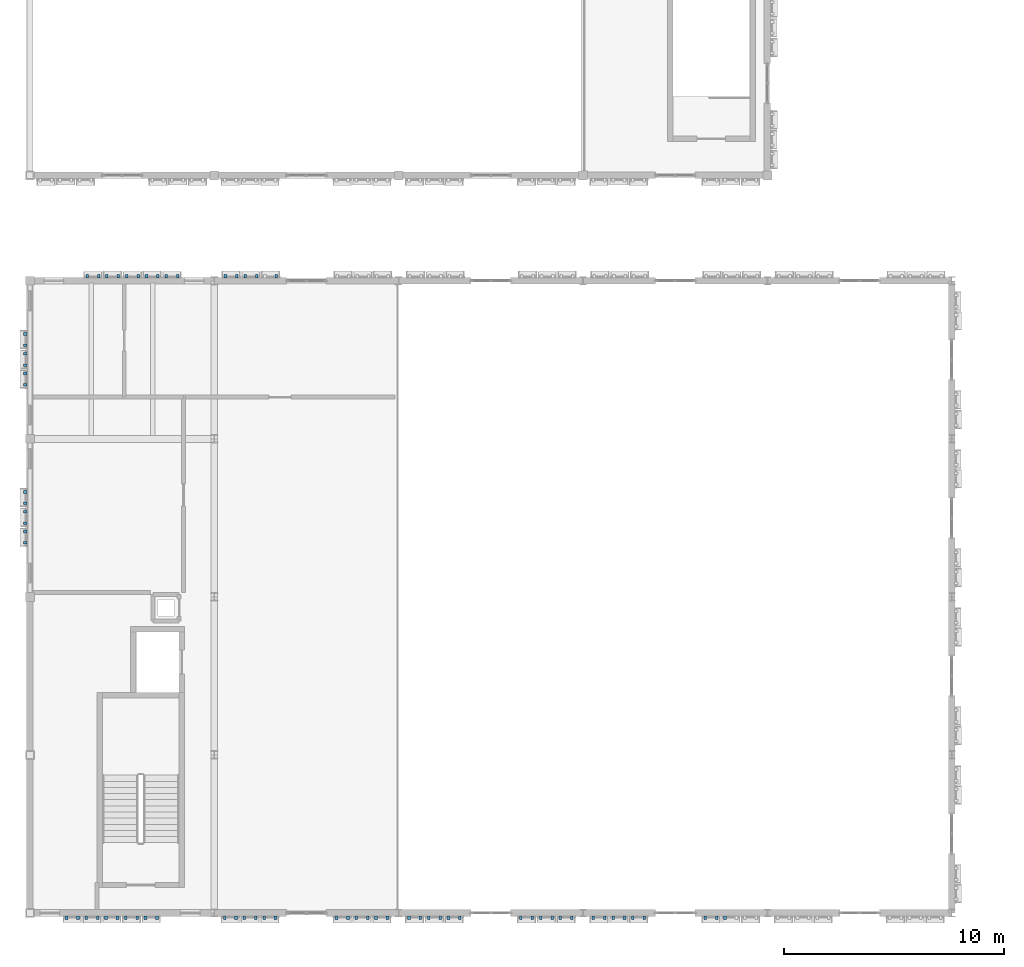
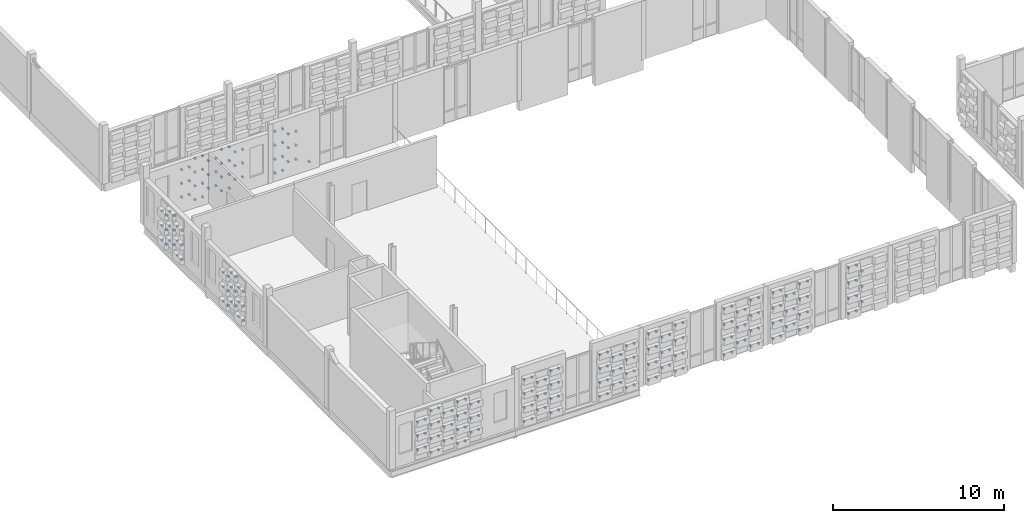
# One storey, part 66 of 81: 240 discrete accessories.
"""IFC4 building model written with IfcOpenShell, lengths in metres."""

from ifc_helpers import new_model, si_unit, direction, frame, origin, origin_2d, place, context, subcontext, project, spatial, rectangle, extrude, material, type_object, element, save


model = new_model("IFC4")

# Units and contexts
model_context = context("Model", 3, precision=1e-05, world=origin(), true_north=direction((0.0, 1.0)))
body_context = subcontext(model_context, "Body", "Model", "MODEL_VIEW")
ifc_project = project(units=[si_unit("LENGTHUNIT", "METRE"), si_unit("AREAUNIT", "SQUARE_METRE"), si_unit("VOLUMEUNIT", "CUBIC_METRE"), si_unit("PLANEANGLEUNIT", "RADIAN"), si_unit("MASSUNIT", "GRAM", prefix="KILO")], contexts=[model_context])

# Site, building, storey
site_placement = place(None, origin())
site = spatial("IfcSite", under=ifc_project, at=site_placement, CompositionType="ELEMENT")
building_placement = place(site_placement, origin())
building = spatial("IfcBuilding", under=site, at=building_placement, Name="Kahlenmark Community Centre", CompositionType="ELEMENT")
storey_placement = place(building_placement, frame((0.0, 0.0, 9.60009765625)))
storey = spatial("IfcBuildingStorey", under=building, at=storey_placement, Name="L02", CompositionType="ELEMENT", Elevation=9.60009765625)

# Discrete accessories
ifc_material = material(Name="Stainless steel 1.4401 rainscreen bracket", Category="steel")
discrete_accessory_type = type_object("IfcDiscreteAccessoryType", Name="DAT-BRACKET-TC", PredefinedType="BRACKET", material=ifc_material)
for number, where, z_axis, x_axis, name in (
    (1, (5.669921875, 8.590087890625, 0.763916015625), (0.0, 0.0, 1.0), (1.0, 0.0, 0.0), "Terracotta cassette bracket 1764.1"),
    (2, (6.18994140625, 8.590087890625, 0.763916015625), (0.0, 0.0, 1.0), (1.0, 0.0, 0.0), "Terracotta cassette bracket 1764.2"),
    (3, (5.669921875, 8.590087890625, 1.755859375), (0.0, 0.0, 1.0), (1.0, 0.0, 0.0), "Terracotta cassette bracket 1766.1"),
    (4, (6.18994140625, 8.590087890625, 1.755859375), (0.0, 0.0, 1.0), (1.0, 0.0, 0.0), "Terracotta cassette bracket 1766.2"),
    (5, (5.669921875, 8.590087890625, 2.747802734375), (0.0, 0.0, 1.0), (1.0, 0.0, 0.0), "Terracotta cassette bracket 1768.1"),
    (6, (6.18994140625, 8.590087890625, 2.747802734375), (0.0, 0.0, 1.0), (1.0, 0.0, 0.0), "Terracotta cassette bracket 1768.2"),
    (7, (6.570068359375, 8.590087890625, 0.267822265625), (0.0, 0.0, 1.0), (1.0, 0.0, 0.0), "Terracotta cassette bracket 1770.1"),
    (8, (7.090087890625, 8.590087890625, 0.267822265625), (0.0, 0.0, 1.0), (1.0, 0.0, 0.0), "Terracotta cassette bracket 1770.2"),
    (9, (6.570068359375, 8.590087890625, 1.259765625), (0.0, 0.0, 1.0), (1.0, 0.0, 0.0), "Terracotta cassette bracket 1772.1"),
    (10, (7.090087890625, 8.590087890625, 1.259765625), (0.0, 0.0, 1.0), (1.0, 0.0, 0.0), "Terracotta cassette bracket 1772.2"),
    (11, (6.570068359375, 8.590087890625, 2.251953125), (0.0, 0.0, 1.0), (1.0, 0.0, 0.0), "Terracotta cassette bracket 1774.1"),
    (12, (7.090087890625, 8.590087890625, 2.251953125), (0.0, 0.0, 1.0), (1.0, 0.0, 0.0), "Terracotta cassette bracket 1774.2"),
    (13, (6.570068359375, 8.590087890625, 3.243896484375), (0.0, 0.0, 1.0), (1.0, 0.0, 0.0), "Terracotta cassette bracket 1776.1"),
    (14, (7.090087890625, 8.590087890625, 3.243896484375), (0.0, 0.0, 1.0), (1.0, 0.0, 0.0), "Terracotta cassette bracket 1776.2"),
    (15, (7.469970703125, 8.590087890625, 0.763916015625), (0.0, 0.0, 1.0), (1.0, 0.0, 0.0), "Terracotta cassette bracket 1778.1"),
    (16, (7.989990234375, 8.590087890625, 0.763916015625), (0.0, 0.0, 1.0), (1.0, 0.0, 0.0), "Terracotta cassette bracket 1778.2"),
    (17, (7.469970703125, 8.590087890625, 1.755859375), (0.0, 0.0, 1.0), (1.0, 0.0, 0.0), "Terracotta cassette bracket 1780.1"),
    (18, (7.989990234375, 8.590087890625, 1.755859375), (0.0, 0.0, 1.0), (1.0, 0.0, 0.0), "Terracotta cassette bracket 1780.2"),
    (19, (7.469970703125, 8.590087890625, 2.747802734375), (0.0, 0.0, 1.0), (1.0, 0.0, 0.0), "Terracotta cassette bracket 1782.1"),
    (20, (7.989990234375, 8.590087890625, 2.747802734375), (0.0, 0.0, 1.0), (1.0, 0.0, 0.0), "Terracotta cassette bracket 1782.2"),
    (21, (8.3701171875, 8.590087890625, 0.267822265625), (0.0, 0.0, 1.0), (1.0, 0.0, 0.0), "Terracotta cassette bracket 1784.1"),
    (22, (8.889892578125, 8.590087890625, 0.267822265625), (0.0, 0.0, 1.0), (1.0, 0.0, 0.0), "Terracotta cassette bracket 1784.2"),
    (23, (8.3701171875, 8.590087890625, 1.259765625), (0.0, 0.0, 1.0), (1.0, 0.0, 0.0), "Terracotta cassette bracket 1786.1"),
    (24, (8.889892578125, 8.590087890625, 1.259765625), (0.0, 0.0, 1.0), (1.0, 0.0, 0.0), "Terracotta cassette bracket 1786.2"),
    (25, (8.3701171875, 8.590087890625, 2.251953125), (0.0, 0.0, 1.0), (1.0, 0.0, 0.0), "Terracotta cassette bracket 1788.1"),
    (26, (8.889892578125, 8.590087890625, 2.251953125), (0.0, 0.0, 1.0), (1.0, 0.0, 0.0), "Terracotta cassette bracket 1788.2"),
    (27, (8.3701171875, 8.590087890625, 3.243896484375), (0.0, 0.0, 1.0), (1.0, 0.0, 0.0), "Terracotta cassette bracket 1790.1"),
    (28, (8.889892578125, 8.590087890625, 3.243896484375), (0.0, 0.0, 1.0), (1.0, 0.0, 0.0), "Terracotta cassette bracket 1790.2"),
    (29, (9.27001953125, 8.590087890625, 0.763916015625), (0.0, 0.0, 1.0), (1.0, 0.0, 0.0), "Terracotta cassette bracket 1792.1"),
    (30, (9.7900390625, 8.590087890625, 0.763916015625), (0.0, 0.0, 1.0), (1.0, 0.0, 0.0), "Terracotta cassette bracket 1792.2"),
    (31, (9.27001953125, 8.590087890625, 1.755859375), (0.0, 0.0, 1.0), (1.0, 0.0, 0.0), "Terracotta cassette bracket 1794.1"),
    (32, (9.7900390625, 8.590087890625, 1.755859375), (0.0, 0.0, 1.0), (1.0, 0.0, 0.0), "Terracotta cassette bracket 1794.2"),
    (33, (9.27001953125, 8.590087890625, 2.747802734375), (0.0, 0.0, 1.0), (1.0, 0.0, 0.0), "Terracotta cassette bracket 1796.1"),
    (34, (9.7900390625, 8.590087890625, 2.747802734375), (0.0, 0.0, 1.0), (1.0, 0.0, 0.0), "Terracotta cassette bracket 1796.2"),
    (35, (12.8701171875, 8.590087890625, 0.267822265625), (0.0, 0.0, 1.0), (1.0, 0.0, 0.0), "Terracotta cassette bracket 1798.1"),
    (36, (13.389892578125, 8.590087890625, 0.267822265625), (0.0, 0.0, 1.0), (1.0, 0.0, 0.0), "Terracotta cassette bracket 1798.2"),
    (37, (12.8701171875, 8.590087890625, 1.259765625), (0.0, 0.0, 1.0), (1.0, 0.0, 0.0), "Terracotta cassette bracket 1800.1"),
    (38, (13.389892578125, 8.590087890625, 1.259765625), (0.0, 0.0, 1.0), (1.0, 0.0, 0.0), "Terracotta cassette bracket 1800.2"),
    (39, (12.8701171875, 8.590087890625, 2.251953125), (0.0, 0.0, 1.0), (1.0, 0.0, 0.0), "Terracotta cassette bracket 1802.1"),
    (40, (13.389892578125, 8.590087890625, 2.251953125), (0.0, 0.0, 1.0), (1.0, 0.0, 0.0), "Terracotta cassette bracket 1802.2"),
    (41, (12.8701171875, 8.590087890625, 3.243896484375), (0.0, 0.0, 1.0), (1.0, 0.0, 0.0), "Terracotta cassette bracket 1804.1"),
    (42, (13.389892578125, 8.590087890625, 3.243896484375), (0.0, 0.0, 1.0), (1.0, 0.0, 0.0), "Terracotta cassette bracket 1804.2"),
    (43, (13.77001953125, 8.590087890625, 0.763916015625), (0.0, 0.0, 1.0), (1.0, 0.0, 0.0), "Terracotta cassette bracket 1806.1"),
    (44, (14.2900390625, 8.590087890625, 0.763916015625), (0.0, 0.0, 1.0), (1.0, 0.0, 0.0), "Terracotta cassette bracket 1806.2"),
    (45, (13.77001953125, 8.590087890625, 1.755859375), (0.0, 0.0, 1.0), (1.0, 0.0, 0.0), "Terracotta cassette bracket 1808.1"),
    (46, (14.2900390625, 8.590087890625, 1.755859375), (0.0, 0.0, 1.0), (1.0, 0.0, 0.0), "Terracotta cassette bracket 1808.2"),
    (47, (13.77001953125, 8.590087890625, 2.747802734375), (0.0, 0.0, 1.0), (1.0, 0.0, 0.0), "Terracotta cassette bracket 1810.1"),
    (48, (14.2900390625, 8.590087890625, 2.747802734375), (0.0, 0.0, 1.0), (1.0, 0.0, 0.0), "Terracotta cassette bracket 1810.2"),
    (49, (14.669921875, 8.590087890625, 0.267822265625), (0.0, 0.0, 1.0), (1.0, 0.0, 0.0), "Terracotta cassette bracket 1812.1"),
    (50, (15.18994140625, 8.590087890625, 0.267822265625), (0.0, 0.0, 1.0), (1.0, 0.0, 0.0), "Terracotta cassette bracket 1812.2"),
    (51, (14.669921875, 8.590087890625, 1.259765625), (0.0, 0.0, 1.0), (1.0, 0.0, 0.0), "Terracotta cassette bracket 1814.1"),
    (52, (15.18994140625, 8.590087890625, 1.259765625), (0.0, 0.0, 1.0), (1.0, 0.0, 0.0), "Terracotta cassette bracket 1814.2"),
    (53, (14.669921875, 8.590087890625, 2.251953125), (0.0, 0.0, 1.0), (1.0, 0.0, 0.0), "Terracotta cassette bracket 1816.1"),
    (54, (15.18994140625, 8.590087890625, 2.251953125), (0.0, 0.0, 1.0), (1.0, 0.0, 0.0), "Terracotta cassette bracket 1816.2"),
    (55, (14.669921875, 8.590087890625, 3.243896484375), (0.0, 0.0, 1.0), (1.0, 0.0, 0.0), "Terracotta cassette bracket 1818.1"),
    (56, (15.18994140625, 8.590087890625, 3.243896484375), (0.0, 0.0, 1.0), (1.0, 0.0, 0.0), "Terracotta cassette bracket 1818.2"),
    (57, (17.969970703125, 8.590087890625, 0.267822265625), (0.0, 0.0, 1.0), (1.0, 0.0, 0.0), "Terracotta cassette bracket 1819.1"),
    (58, (18.489990234375, 8.590087890625, 0.267822265625), (0.0, 0.0, 1.0), (1.0, 0.0, 0.0), "Terracotta cassette bracket 1819.2"),
    (59, (17.969970703125, 8.590087890625, 1.259765625), (0.0, 0.0, 1.0), (1.0, 0.0, 0.0), "Terracotta cassette bracket 1821.1"),
    (60, (18.489990234375, 8.590087890625, 1.259765625), (0.0, 0.0, 1.0), (1.0, 0.0, 0.0), "Terracotta cassette bracket 1821.2"),
    (61, (17.969970703125, 8.590087890625, 2.251953125), (0.0, 0.0, 1.0), (1.0, 0.0, 0.0), "Terracotta cassette bracket 1823.1"),
    (62, (18.489990234375, 8.590087890625, 2.251953125), (0.0, 0.0, 1.0), (1.0, 0.0, 0.0), "Terracotta cassette bracket 1823.2"),
    (63, (17.969970703125, 8.590087890625, 3.243896484375), (0.0, 0.0, 1.0), (1.0, 0.0, 0.0), "Terracotta cassette bracket 1825.1"),
    (64, (18.489990234375, 8.590087890625, 3.243896484375), (0.0, 0.0, 1.0), (1.0, 0.0, 0.0), "Terracotta cassette bracket 1825.2"),
    (65, (18.8701171875, 8.590087890625, 0.763916015625), (0.0, 0.0, 1.0), (1.0, 0.0, 0.0), "Terracotta cassette bracket 1827.1"),
    (66, (19.389892578125, 8.590087890625, 0.763916015625), (0.0, 0.0, 1.0), (1.0, 0.0, 0.0), "Terracotta cassette bracket 1827.2"),
    (67, (18.8701171875, 8.590087890625, 1.755859375), (0.0, 0.0, 1.0), (1.0, 0.0, 0.0), "Terracotta cassette bracket 1829.1"),
    (68, (19.389892578125, 8.590087890625, 1.755859375), (0.0, 0.0, 1.0), (1.0, 0.0, 0.0), "Terracotta cassette bracket 1829.2"),
    (69, (18.8701171875, 8.590087890625, 2.747802734375), (0.0, 0.0, 1.0), (1.0, 0.0, 0.0), "Terracotta cassette bracket 1831.1"),
    (70, (19.389892578125, 8.590087890625, 2.747802734375), (0.0, 0.0, 1.0), (1.0, 0.0, 0.0), "Terracotta cassette bracket 1831.2"),
    (71, (19.77001953125, 8.590087890625, 0.267822265625), (0.0, 0.0, 1.0), (1.0, 0.0, 0.0), "Terracotta cassette bracket 1833.1"),
    (72, (20.2900390625, 8.590087890625, 0.267822265625), (0.0, 0.0, 1.0), (1.0, 0.0, 0.0), "Terracotta cassette bracket 1833.2"),
    (73, (19.77001953125, 8.590087890625, 1.259765625), (0.0, 0.0, 1.0), (1.0, 0.0, 0.0), "Terracotta cassette bracket 1835.1"),
    (74, (20.2900390625, 8.590087890625, 1.259765625), (0.0, 0.0, 1.0), (1.0, 0.0, 0.0), "Terracotta cassette bracket 1835.2"),
    (75, (19.77001953125, 8.590087890625, 2.251953125), (0.0, 0.0, 1.0), (1.0, 0.0, 0.0), "Terracotta cassette bracket 1837.1"),
    (76, (20.2900390625, 8.590087890625, 2.251953125), (0.0, 0.0, 1.0), (1.0, 0.0, 0.0), "Terracotta cassette bracket 1837.2"),
    (77, (19.77001953125, 8.590087890625, 3.243896484375), (0.0, 0.0, 1.0), (1.0, 0.0, 0.0), "Terracotta cassette bracket 1839.1"),
    (78, (20.2900390625, 8.590087890625, 3.243896484375), (0.0, 0.0, 1.0), (1.0, 0.0, 0.0), "Terracotta cassette bracket 1839.2"),
    (79, (21.27001953125, 8.590087890625, 0.292724609375), (0.0, 0.0, 1.0), (1.0, 0.0, 0.0), "Terracotta cassette bracket 1840.1"),
    (80, (21.7900390625, 8.590087890625, 0.292724609375), (0.0, 0.0, 1.0), (1.0, 0.0, 0.0), "Terracotta cassette bracket 1840.2"),
    (81, (21.27001953125, 8.590087890625, 1.384765625), (0.0, 0.0, 1.0), (1.0, 0.0, 0.0), "Terracotta cassette bracket 1842.1"),
    (82, (21.7900390625, 8.590087890625, 1.384765625), (0.0, 0.0, 1.0), (1.0, 0.0, 0.0), "Terracotta cassette bracket 1842.2"),
    (83, (21.27001953125, 8.590087890625, 2.476806640625), (0.0, 0.0, 1.0), (1.0, 0.0, 0.0), "Terracotta cassette bracket 1844.1"),
    (84, (21.7900390625, 8.590087890625, 2.476806640625), (0.0, 0.0, 1.0), (1.0, 0.0, 0.0), "Terracotta cassette bracket 1844.2"),
    (85, (21.27001953125, 8.590087890625, 3.56884765625), (0.0, 0.0, 1.0), (1.0, 0.0, 0.0), "Terracotta cassette bracket 1846.1"),
    (86, (21.7900390625, 8.590087890625, 3.56884765625), (0.0, 0.0, 1.0), (1.0, 0.0, 0.0), "Terracotta cassette bracket 1846.2"),
    (87, (22.169921875, 8.590087890625, 0.8388671875), (0.0, 0.0, 1.0), (1.0, 0.0, 0.0), "Terracotta cassette bracket 1848.1"),
    (88, (22.68994140625, 8.590087890625, 0.8388671875), (0.0, 0.0, 1.0), (1.0, 0.0, 0.0), "Terracotta cassette bracket 1848.2"),
    (89, (22.169921875, 8.590087890625, 1.930908203125), (0.0, 0.0, 1.0), (1.0, 0.0, 0.0), "Terracotta cassette bracket 1850.1"),
    (90, (22.68994140625, 8.590087890625, 1.930908203125), (0.0, 0.0, 1.0), (1.0, 0.0, 0.0), "Terracotta cassette bracket 1850.2"),
    (91, (22.169921875, 8.590087890625, 3.02294921875), (0.0, 0.0, 1.0), (1.0, 0.0, 0.0), "Terracotta cassette bracket 1852.1"),
    (92, (22.68994140625, 8.590087890625, 3.02294921875), (0.0, 0.0, 1.0), (1.0, 0.0, 0.0), "Terracotta cassette bracket 1852.2"),
    (93, (23.070068359375, 8.590087890625, 0.292724609375), (0.0, 0.0, 1.0), (1.0, 0.0, 0.0), "Terracotta cassette bracket 1854.1"),
    (94, (23.590087890625, 8.590087890625, 0.292724609375), (0.0, 0.0, 1.0), (1.0, 0.0, 0.0), "Terracotta cassette bracket 1854.2"),
    (95, (23.070068359375, 8.590087890625, 1.384765625), (0.0, 0.0, 1.0), (1.0, 0.0, 0.0), "Terracotta cassette bracket 1856.1"),
    (96, (23.590087890625, 8.590087890625, 1.384765625), (0.0, 0.0, 1.0), (1.0, 0.0, 0.0), "Terracotta cassette bracket 1856.2"),
    (97, (23.070068359375, 8.590087890625, 2.476806640625), (0.0, 0.0, 1.0), (1.0, 0.0, 0.0), "Terracotta cassette bracket 1858.1"),
    (98, (23.590087890625, 8.590087890625, 2.476806640625), (0.0, 0.0, 1.0), (1.0, 0.0, 0.0), "Terracotta cassette bracket 1858.2"),
    (99, (23.070068359375, 8.590087890625, 3.56884765625), (0.0, 0.0, 1.0), (1.0, 0.0, 0.0), "Terracotta cassette bracket 1860.1"),
    (100, (23.590087890625, 8.590087890625, 3.56884765625), (0.0, 0.0, 1.0), (1.0, 0.0, 0.0), "Terracotta cassette bracket 1860.2"),
    (101, (26.3701171875, 8.590087890625, 0.292724609375), (0.0, 0.0, 1.0), (1.0, 0.0, 0.0), "Terracotta cassette bracket 1861.1"),
    (102, (26.889892578125, 8.590087890625, 0.292724609375), (0.0, 0.0, 1.0), (1.0, 0.0, 0.0), "Terracotta cassette bracket 1861.2"),
    (103, (26.3701171875, 8.590087890625, 1.384765625), (0.0, 0.0, 1.0), (1.0, 0.0, 0.0), "Terracotta cassette bracket 1863.1"),
    (104, (26.889892578125, 8.590087890625, 1.384765625), (0.0, 0.0, 1.0), (1.0, 0.0, 0.0), "Terracotta cassette bracket 1863.2"),
    (105, (26.3701171875, 8.590087890625, 2.476806640625), (0.0, 0.0, 1.0), (1.0, 0.0, 0.0), "Terracotta cassette bracket 1865.1"),
    (106, (26.889892578125, 8.590087890625, 2.476806640625), (0.0, 0.0, 1.0), (1.0, 0.0, 0.0), "Terracotta cassette bracket 1865.2"),
    (107, (26.3701171875, 8.590087890625, 3.56884765625), (0.0, 0.0, 1.0), (1.0, 0.0, 0.0), "Terracotta cassette bracket 1867.1"),
    (108, (26.889892578125, 8.590087890625, 3.56884765625), (0.0, 0.0, 1.0), (1.0, 0.0, 0.0), "Terracotta cassette bracket 1867.2"),
    (109, (27.27001953125, 8.590087890625, 0.8388671875), (0.0, 0.0, 1.0), (1.0, 0.0, 0.0), "Terracotta cassette bracket 1869.1"),
    (110, (27.7900390625, 8.590087890625, 0.8388671875), (0.0, 0.0, 1.0), (1.0, 0.0, 0.0), "Terracotta cassette bracket 1869.2"),
    (111, (27.27001953125, 8.590087890625, 1.930908203125), (0.0, 0.0, 1.0), (1.0, 0.0, 0.0), "Terracotta cassette bracket 1871.1"),
    (112, (27.7900390625, 8.590087890625, 1.930908203125), (0.0, 0.0, 1.0), (1.0, 0.0, 0.0), "Terracotta cassette bracket 1871.2"),
    (113, (27.27001953125, 8.590087890625, 3.02294921875), (0.0, 0.0, 1.0), (1.0, 0.0, 0.0), "Terracotta cassette bracket 1873.1"),
    (114, (27.7900390625, 8.590087890625, 3.02294921875), (0.0, 0.0, 1.0), (1.0, 0.0, 0.0), "Terracotta cassette bracket 1873.2"),
    (115, (28.169921875, 8.590087890625, 0.292724609375), (0.0, 0.0, 1.0), (1.0, 0.0, 0.0), "Terracotta cassette bracket 1875.1"),
    (116, (28.68994140625, 8.590087890625, 0.292724609375), (0.0, 0.0, 1.0), (1.0, 0.0, 0.0), "Terracotta cassette bracket 1875.2"),
    (117, (28.169921875, 8.590087890625, 1.384765625), (0.0, 0.0, 1.0), (1.0, 0.0, 0.0), "Terracotta cassette bracket 1877.1"),
    (118, (28.68994140625, 8.590087890625, 1.384765625), (0.0, 0.0, 1.0), (1.0, 0.0, 0.0), "Terracotta cassette bracket 1877.2"),
    (119, (28.169921875, 8.590087890625, 2.476806640625), (0.0, 0.0, 1.0), (1.0, 0.0, 0.0), "Terracotta cassette bracket 1879.1"),
    (120, (28.68994140625, 8.590087890625, 2.476806640625), (0.0, 0.0, 1.0), (1.0, 0.0, 0.0), "Terracotta cassette bracket 1879.2"),
    (121, (28.169921875, 8.590087890625, 3.56884765625), (0.0, 0.0, 1.0), (1.0, 0.0, 0.0), "Terracotta cassette bracket 1881.1"),
    (122, (28.68994140625, 8.590087890625, 3.56884765625), (0.0, 0.0, 1.0), (1.0, 0.0, 0.0), "Terracotta cassette bracket 1881.2"),
    (123, (29.669921875, 8.590087890625, 0.292724609375), (0.0, 0.0, 1.0), (1.0, 0.0, 0.0), "Terracotta cassette bracket 1882.1"),
    (124, (30.18994140625, 8.590087890625, 0.292724609375), (0.0, 0.0, 1.0), (1.0, 0.0, 0.0), "Terracotta cassette bracket 1882.2"),
    (125, (29.669921875, 8.590087890625, 1.384765625), (0.0, 0.0, 1.0), (1.0, 0.0, 0.0), "Terracotta cassette bracket 1884.1"),
    (126, (30.18994140625, 8.590087890625, 1.384765625), (0.0, 0.0, 1.0), (1.0, 0.0, 0.0), "Terracotta cassette bracket 1884.2"),
    (127, (29.669921875, 8.590087890625, 2.476806640625), (0.0, 0.0, 1.0), (1.0, 0.0, 0.0), "Terracotta cassette bracket 1886.1"),
    (128, (30.18994140625, 8.590087890625, 2.476806640625), (0.0, 0.0, 1.0), (1.0, 0.0, 0.0), "Terracotta cassette bracket 1886.2"),
    (129, (29.669921875, 8.590087890625, 3.56884765625), (0.0, 0.0, 1.0), (1.0, 0.0, 0.0), "Terracotta cassette bracket 1888.1"),
    (130, (30.18994140625, 8.590087890625, 3.56884765625), (0.0, 0.0, 1.0), (1.0, 0.0, 0.0), "Terracotta cassette bracket 1888.2"),
    (131, (30.570068359375, 8.590087890625, 0.8388671875), (0.0, 0.0, 1.0), (1.0, 0.0, 0.0), "Terracotta cassette bracket 1890.1"),
    (132, (31.090087890625, 8.590087890625, 0.8388671875), (0.0, 0.0, 1.0), (1.0, 0.0, 0.0), "Terracotta cassette bracket 1890.2"),
    (133, (30.570068359375, 8.590087890625, 1.930908203125), (0.0, 0.0, 1.0), (1.0, 0.0, 0.0), "Terracotta cassette bracket 1892.1"),
    (134, (31.090087890625, 8.590087890625, 1.930908203125), (0.0, 0.0, 1.0), (1.0, 0.0, 0.0), "Terracotta cassette bracket 1892.2"),
    (135, (30.570068359375, 8.590087890625, 3.02294921875), (0.0, 0.0, 1.0), (1.0, 0.0, 0.0), "Terracotta cassette bracket 1894.1"),
    (136, (31.090087890625, 8.590087890625, 3.02294921875), (0.0, 0.0, 1.0), (1.0, 0.0, 0.0), "Terracotta cassette bracket 1894.2"),
    (137, (31.469970703125, 8.590087890625, 0.292724609375), (0.0, 0.0, 1.0), (1.0, 0.0, 0.0), "Terracotta cassette bracket 1896.1"),
    (138, (31.989990234375, 8.590087890625, 0.292724609375), (0.0, 0.0, 1.0), (1.0, 0.0, 0.0), "Terracotta cassette bracket 1896.2"),
    (139, (31.469970703125, 8.590087890625, 1.384765625), (0.0, 0.0, 1.0), (1.0, 0.0, 0.0), "Terracotta cassette bracket 1898.1"),
    (140, (31.989990234375, 8.590087890625, 1.384765625), (0.0, 0.0, 1.0), (1.0, 0.0, 0.0), "Terracotta cassette bracket 1898.2"),
    (141, (31.469970703125, 8.590087890625, 2.476806640625), (0.0, 0.0, 1.0), (1.0, 0.0, 0.0), "Terracotta cassette bracket 1900.1"),
    (142, (31.989990234375, 8.590087890625, 2.476806640625), (0.0, 0.0, 1.0), (1.0, 0.0, 0.0), "Terracotta cassette bracket 1900.2"),
    (143, (31.469970703125, 8.590087890625, 3.56884765625), (0.0, 0.0, 1.0), (1.0, 0.0, 0.0), "Terracotta cassette bracket 1902.1"),
    (144, (31.989990234375, 8.590087890625, 3.56884765625), (0.0, 0.0, 1.0), (1.0, 0.0, 0.0), "Terracotta cassette bracket 1902.2"),
    (145, (34.77001953125, 8.590087890625, 0.292724609375), (0.0, 0.0, 1.0), (1.0, 0.0, 0.0), "Terracotta cassette bracket 1903.1"),
    (146, (35.2900390625, 8.590087890625, 0.292724609375), (0.0, 0.0, 1.0), (1.0, 0.0, 0.0), "Terracotta cassette bracket 1903.2"),
    (147, (34.77001953125, 8.590087890625, 1.384765625), (0.0, 0.0, 1.0), (1.0, 0.0, 0.0), "Terracotta cassette bracket 1905.1"),
    (148, (35.2900390625, 8.590087890625, 1.384765625), (0.0, 0.0, 1.0), (1.0, 0.0, 0.0), "Terracotta cassette bracket 1905.2"),
    (149, (34.77001953125, 8.590087890625, 2.476806640625), (0.0, 0.0, 1.0), (1.0, 0.0, 0.0), "Terracotta cassette bracket 1907.1"),
    (150, (35.2900390625, 8.590087890625, 2.476806640625), (0.0, 0.0, 1.0), (1.0, 0.0, 0.0), "Terracotta cassette bracket 1907.2"),
    (151, (34.77001953125, 8.590087890625, 3.56884765625), (0.0, 0.0, 1.0), (1.0, 0.0, 0.0), "Terracotta cassette bracket 1909.1"),
    (152, (35.2900390625, 8.590087890625, 3.56884765625), (0.0, 0.0, 1.0), (1.0, 0.0, 0.0), "Terracotta cassette bracket 1909.2"),
    (153, (35.669921875, 8.590087890625, 0.8388671875), (0.0, 0.0, 1.0), (1.0, 0.0, 0.0), "Terracotta cassette bracket 1911.1"),
    (154, (35.669921875, 8.590087890625, 1.930908203125), (0.0, 0.0, 1.0), (1.0, 0.0, 0.0), "Terracotta cassette bracket 1913.1"),
    (155, (35.669921875, 8.590087890625, 3.02294921875), (0.0, 0.0, 1.0), (1.0, 0.0, 0.0), "Terracotta cassette bracket 1915.1"),
    (156, (10.72998046875, 37.81005859375, 0.7548828125), (0.0, 0.0, 1.0), (-1.0, 0.0, 0.0), "Terracotta cassette bracket 1967.1"),
    (157, (10.2099609375, 37.81005859375, 0.7548828125), (0.0, 0.0, 1.0), (-1.0, 0.0, 0.0), "Terracotta cassette bracket 1967.2"),
    (158, (10.72998046875, 37.81005859375, 1.73486328125), (0.0, 0.0, 1.0), (-1.0, 0.0, 0.0), "Terracotta cassette bracket 1969.1"),
    (159, (10.2099609375, 37.81005859375, 1.73486328125), (0.0, 0.0, 1.0), (-1.0, 0.0, 0.0), "Terracotta cassette bracket 1969.2"),
    (160, (10.72998046875, 37.81005859375, 2.71484375), (0.0, 0.0, 1.0), (-1.0, 0.0, 0.0), "Terracotta cassette bracket 1971.1"),
    (161, (10.2099609375, 37.81005859375, 2.71484375), (0.0, 0.0, 1.0), (-1.0, 0.0, 0.0), "Terracotta cassette bracket 1971.2"),
    (162, (9.830078125, 37.81005859375, 0.264892578125), (0.0, 0.0, 1.0), (-1.0, 0.0, 0.0), "Terracotta cassette bracket 1973.1"),
    (163, (9.31005859375, 37.81005859375, 0.264892578125), (0.0, 0.0, 1.0), (-1.0, 0.0, 0.0), "Terracotta cassette bracket 1973.2"),
    (164, (9.830078125, 37.81005859375, 1.244873046875), (0.0, 0.0, 1.0), (-1.0, 0.0, 0.0), "Terracotta cassette bracket 1975.1"),
    (165, (9.31005859375, 37.81005859375, 1.244873046875), (0.0, 0.0, 1.0), (-1.0, 0.0, 0.0), "Terracotta cassette bracket 1975.2"),
    (166, (9.830078125, 37.81005859375, 2.224853515625), (0.0, 0.0, 1.0), (-1.0, 0.0, 0.0), "Terracotta cassette bracket 1977.1"),
    (167, (9.31005859375, 37.81005859375, 2.224853515625), (0.0, 0.0, 1.0), (-1.0, 0.0, 0.0), "Terracotta cassette bracket 1977.2"),
    (168, (9.830078125, 37.81005859375, 3.204833984375), (0.0, 0.0, 1.0), (-1.0, 0.0, 0.0), "Terracotta cassette bracket 1979.1"),
    (169, (9.31005859375, 37.81005859375, 3.204833984375), (0.0, 0.0, 1.0), (-1.0, 0.0, 0.0), "Terracotta cassette bracket 1979.2"),
    (170, (8.929931640625, 37.81005859375, 0.7548828125), (0.0, 0.0, 1.0), (-1.0, 0.0, 0.0), "Terracotta cassette bracket 1981.1"),
    (171, (8.409912109375, 37.81005859375, 0.7548828125), (0.0, 0.0, 1.0), (-1.0, 0.0, 0.0), "Terracotta cassette bracket 1981.2"),
    (172, (8.929931640625, 37.81005859375, 1.73486328125), (0.0, 0.0, 1.0), (-1.0, 0.0, 0.0), "Terracotta cassette bracket 1983.1"),
    (173, (8.409912109375, 37.81005859375, 1.73486328125), (0.0, 0.0, 1.0), (-1.0, 0.0, 0.0), "Terracotta cassette bracket 1983.2"),
    (174, (8.929931640625, 37.81005859375, 2.71484375), (0.0, 0.0, 1.0), (-1.0, 0.0, 0.0), "Terracotta cassette bracket 1985.1"),
    (175, (8.409912109375, 37.81005859375, 2.71484375), (0.0, 0.0, 1.0), (-1.0, 0.0, 0.0), "Terracotta cassette bracket 1985.2"),
    (176, (8.030029296875, 37.81005859375, 0.264892578125), (0.0, 0.0, 1.0), (-1.0, 0.0, 0.0), "Terracotta cassette bracket 1987.1"),
    (177, (7.510009765625, 37.81005859375, 0.264892578125), (0.0, 0.0, 1.0), (-1.0, 0.0, 0.0), "Terracotta cassette bracket 1987.2"),
    (178, (8.030029296875, 37.81005859375, 1.244873046875), (0.0, 0.0, 1.0), (-1.0, 0.0, 0.0), "Terracotta cassette bracket 1989.1"),
    (179, (7.510009765625, 37.81005859375, 1.244873046875), (0.0, 0.0, 1.0), (-1.0, 0.0, 0.0), "Terracotta cassette bracket 1989.2"),
    (180, (8.030029296875, 37.81005859375, 2.224853515625), (0.0, 0.0, 1.0), (-1.0, 0.0, 0.0), "Terracotta cassette bracket 1991.1"),
    (181, (7.510009765625, 37.81005859375, 2.224853515625), (0.0, 0.0, 1.0), (-1.0, 0.0, 0.0), "Terracotta cassette bracket 1991.2"),
    (182, (8.030029296875, 37.81005859375, 3.204833984375), (0.0, 0.0, 1.0), (-1.0, 0.0, 0.0), "Terracotta cassette bracket 1993.1"),
    (183, (7.510009765625, 37.81005859375, 3.204833984375), (0.0, 0.0, 1.0), (-1.0, 0.0, 0.0), "Terracotta cassette bracket 1993.2"),
    (184, (7.1298828125, 37.81005859375, 0.7548828125), (0.0, 0.0, 1.0), (-1.0, 0.0, 0.0), "Terracotta cassette bracket 1995.1"),
    (185, (6.610107421875, 37.81005859375, 0.7548828125), (0.0, 0.0, 1.0), (-1.0, 0.0, 0.0), "Terracotta cassette bracket 1995.2"),
    (186, (7.1298828125, 37.81005859375, 1.73486328125), (0.0, 0.0, 1.0), (-1.0, 0.0, 0.0), "Terracotta cassette bracket 1997.1"),
    (187, (6.610107421875, 37.81005859375, 1.73486328125), (0.0, 0.0, 1.0), (-1.0, 0.0, 0.0), "Terracotta cassette bracket 1997.2"),
    (188, (7.1298828125, 37.81005859375, 2.71484375), (0.0, 0.0, 1.0), (-1.0, 0.0, 0.0), "Terracotta cassette bracket 1999.1"),
    (189, (6.610107421875, 37.81005859375, 2.71484375), (0.0, 0.0, 1.0), (-1.0, 0.0, 0.0), "Terracotta cassette bracket 1999.2"),
    (190, (15.22998046875, 37.81005859375, 0.267822265625), (0.0, 0.0, 1.0), (-1.0, 0.0, 0.0), "Terracotta cassette bracket 2022.1"),
    (191, (14.330078125, 37.81005859375, 0.763916015625), (0.0, 0.0, 1.0), (-1.0, 0.0, 0.0), "Terracotta cassette bracket 2030.1"),
    (192, (13.81005859375, 37.81005859375, 0.763916015625), (0.0, 0.0, 1.0), (-1.0, 0.0, 0.0), "Terracotta cassette bracket 2030.2"),
    (193, (14.330078125, 37.81005859375, 1.755859375), (0.0, 0.0, 1.0), (-1.0, 0.0, 0.0), "Terracotta cassette bracket 2032.1"),
    (194, (13.81005859375, 37.81005859375, 1.755859375), (0.0, 0.0, 1.0), (-1.0, 0.0, 0.0), "Terracotta cassette bracket 2032.2"),
    (195, (14.330078125, 37.81005859375, 2.747802734375), (0.0, 0.0, 1.0), (-1.0, 0.0, 0.0), "Terracotta cassette bracket 2034.1"),
    (196, (13.81005859375, 37.81005859375, 2.747802734375), (0.0, 0.0, 1.0), (-1.0, 0.0, 0.0), "Terracotta cassette bracket 2034.2"),
    (197, (13.429931640625, 37.81005859375, 0.267822265625), (0.0, 0.0, 1.0), (-1.0, 0.0, 0.0), "Terracotta cassette bracket 2036.1"),
    (198, (12.909912109375, 37.81005859375, 0.267822265625), (0.0, 0.0, 1.0), (-1.0, 0.0, 0.0), "Terracotta cassette bracket 2036.2"),
    (199, (13.429931640625, 37.81005859375, 1.259765625), (0.0, 0.0, 1.0), (-1.0, 0.0, 0.0), "Terracotta cassette bracket 2038.1"),
    (200, (12.909912109375, 37.81005859375, 1.259765625), (0.0, 0.0, 1.0), (-1.0, 0.0, 0.0), "Terracotta cassette bracket 2038.2"),
    (201, (13.429931640625, 37.81005859375, 2.251953125), (0.0, 0.0, 1.0), (-1.0, 0.0, 0.0), "Terracotta cassette bracket 2040.1"),
    (202, (12.909912109375, 37.81005859375, 2.251953125), (0.0, 0.0, 1.0), (-1.0, 0.0, 0.0), "Terracotta cassette bracket 2040.2"),
    (203, (13.429931640625, 37.81005859375, 3.243896484375), (0.0, 0.0, 1.0), (-1.0, 0.0, 0.0), "Terracotta cassette bracket 2042.1"),
    (204, (12.909912109375, 37.81005859375, 3.243896484375), (0.0, 0.0, 1.0), (-1.0, 0.0, 0.0), "Terracotta cassette bracket 2042.2"),
    (205, (3.7900390625, 27.97998046875, 0.27880859375), (0.0, 0.0, 1.0), (0.0, -1.0, 0.0), "Terracotta cassette bracket 2169.1"),
    (206, (3.7900390625, 27.4599609375, 0.27880859375), (0.0, 0.0, 1.0), (0.0, -1.0, 0.0), "Terracotta cassette bracket 2169.2"),
    (207, (3.7900390625, 27.97998046875, 1.31494140625), (0.0, 0.0, 1.0), (0.0, -1.0, 0.0), "Terracotta cassette bracket 2171.1"),
    (208, (3.7900390625, 27.4599609375, 1.31494140625), (0.0, 0.0, 1.0), (0.0, -1.0, 0.0), "Terracotta cassette bracket 2171.2"),
    (209, (3.7900390625, 27.97998046875, 2.350830078125), (0.0, 0.0, 1.0), (0.0, -1.0, 0.0), "Terracotta cassette bracket 2173.1"),
    (210, (3.7900390625, 27.4599609375, 2.350830078125), (0.0, 0.0, 1.0), (0.0, -1.0, 0.0), "Terracotta cassette bracket 2173.2"),
    (211, (3.7900390625, 27.080078125, 0.796875), (0.0, 0.0, 1.0), (0.0, -1.0, 0.0), "Terracotta cassette bracket 2176.1"),
    (212, (3.7900390625, 26.56005859375, 0.796875), (0.0, 0.0, 1.0), (0.0, -1.0, 0.0), "Terracotta cassette bracket 2176.2"),
    (213, (3.7900390625, 27.080078125, 1.832763671875), (0.0, 0.0, 1.0), (0.0, -1.0, 0.0), "Terracotta cassette bracket 2178.1"),
    (214, (3.7900390625, 26.56005859375, 1.832763671875), (0.0, 0.0, 1.0), (0.0, -1.0, 0.0), "Terracotta cassette bracket 2178.2"),
    (215, (3.7900390625, 27.080078125, 2.868896484375), (0.0, 0.0, 1.0), (0.0, -1.0, 0.0), "Terracotta cassette bracket 2180.1"),
    (216, (3.7900390625, 26.56005859375, 2.868896484375), (0.0, 0.0, 1.0), (0.0, -1.0, 0.0), "Terracotta cassette bracket 2180.2"),
    (217, (3.7900390625, 26.179931640625, 0.27880859375), (0.0, 0.0, 1.0), (0.0, -1.0, 0.0), "Terracotta cassette bracket 2181.1"),
    (218, (3.7900390625, 25.659912109375, 0.27880859375), (0.0, 0.0, 1.0), (0.0, -1.0, 0.0), "Terracotta cassette bracket 2181.2"),
    (219, (3.7900390625, 26.179931640625, 1.31494140625), (0.0, 0.0, 1.0), (0.0, -1.0, 0.0), "Terracotta cassette bracket 2183.1"),
    (220, (3.7900390625, 25.659912109375, 1.31494140625), (0.0, 0.0, 1.0), (0.0, -1.0, 0.0), "Terracotta cassette bracket 2183.2"),
    (221, (3.7900390625, 26.179931640625, 2.350830078125), (0.0, 0.0, 1.0), (0.0, -1.0, 0.0), "Terracotta cassette bracket 2185.1"),
    (222, (3.7900390625, 25.659912109375, 2.350830078125), (0.0, 0.0, 1.0), (0.0, -1.0, 0.0), "Terracotta cassette bracket 2185.2"),
    (223, (3.7900390625, 35.179931640625, 0.27880859375), (0.0, 0.0, 1.0), (0.0, -1.0, 0.0), "Terracotta cassette bracket 2187.1"),
    (224, (3.7900390625, 34.659912109375, 0.27880859375), (0.0, 0.0, 1.0), (0.0, -1.0, 0.0), "Terracotta cassette bracket 2187.2"),
    (225, (3.7900390625, 35.179931640625, 1.31494140625), (0.0, 0.0, 1.0), (0.0, -1.0, 0.0), "Terracotta cassette bracket 2189.1"),
    (226, (3.7900390625, 34.659912109375, 1.31494140625), (0.0, 0.0, 1.0), (0.0, -1.0, 0.0), "Terracotta cassette bracket 2189.2"),
    (227, (3.7900390625, 35.179931640625, 2.350830078125), (0.0, 0.0, 1.0), (0.0, -1.0, 0.0), "Terracotta cassette bracket 2191.1"),
    (228, (3.7900390625, 34.659912109375, 2.350830078125), (0.0, 0.0, 1.0), (0.0, -1.0, 0.0), "Terracotta cassette bracket 2191.2"),
    (229, (3.7900390625, 34.280029296875, 0.796875), (0.0, 0.0, 1.0), (0.0, -1.0, 0.0), "Terracotta cassette bracket 2194.1"),
    (230, (3.7900390625, 33.760009765625, 0.796875), (0.0, 0.0, 1.0), (0.0, -1.0, 0.0), "Terracotta cassette bracket 2194.2"),
    (231, (3.7900390625, 34.280029296875, 1.832763671875), (0.0, 0.0, 1.0), (0.0, -1.0, 0.0), "Terracotta cassette bracket 2196.1"),
    (232, (3.7900390625, 33.760009765625, 1.832763671875), (0.0, 0.0, 1.0), (0.0, -1.0, 0.0), "Terracotta cassette bracket 2196.2"),
    (233, (3.7900390625, 34.280029296875, 2.868896484375), (0.0, 0.0, 1.0), (0.0, -1.0, 0.0), "Terracotta cassette bracket 2198.1"),
    (234, (3.7900390625, 33.760009765625, 2.868896484375), (0.0, 0.0, 1.0), (0.0, -1.0, 0.0), "Terracotta cassette bracket 2198.2"),
    (235, (3.7900390625, 33.3798828125, 0.27880859375), (0.0, 0.0, 1.0), (0.0, -1.0, 0.0), "Terracotta cassette bracket 2199.1"),
    (236, (3.7900390625, 32.860107421875, 0.27880859375), (0.0, 0.0, 1.0), (0.0, -1.0, 0.0), "Terracotta cassette bracket 2199.2"),
    (237, (3.7900390625, 33.3798828125, 1.31494140625), (0.0, 0.0, 1.0), (0.0, -1.0, 0.0), "Terracotta cassette bracket 2201.1"),
    (238, (3.7900390625, 32.860107421875, 1.31494140625), (0.0, 0.0, 1.0), (0.0, -1.0, 0.0), "Terracotta cassette bracket 2201.2"),
    (239, (3.7900390625, 33.3798828125, 2.350830078125), (0.0, 0.0, 1.0), (0.0, -1.0, 0.0), "Terracotta cassette bracket 2203.1"),
    (240, (3.7900390625, 32.860107421875, 2.350830078125), (0.0, 0.0, 1.0), (0.0, -1.0, 0.0), "Terracotta cassette bracket 2203.2"),
):
    element("IfcDiscreteAccessory", number, at=place(storey_placement, frame(where, z_axis=z_axis, x_axis=x_axis)), inside=storey, type_object=discrete_accessory_type, Name=name, PredefinedType="BRACKET", context=body_context, shape_type="SweptSolid", body=[
        extrude(rectangle(XDim=0.1201171875, YDim=0.159912109375, at=origin_2d()), origin(), (0.0, 0.0, 1.0), 0.1201171875),
    ])

save(model, "model.ifc")
